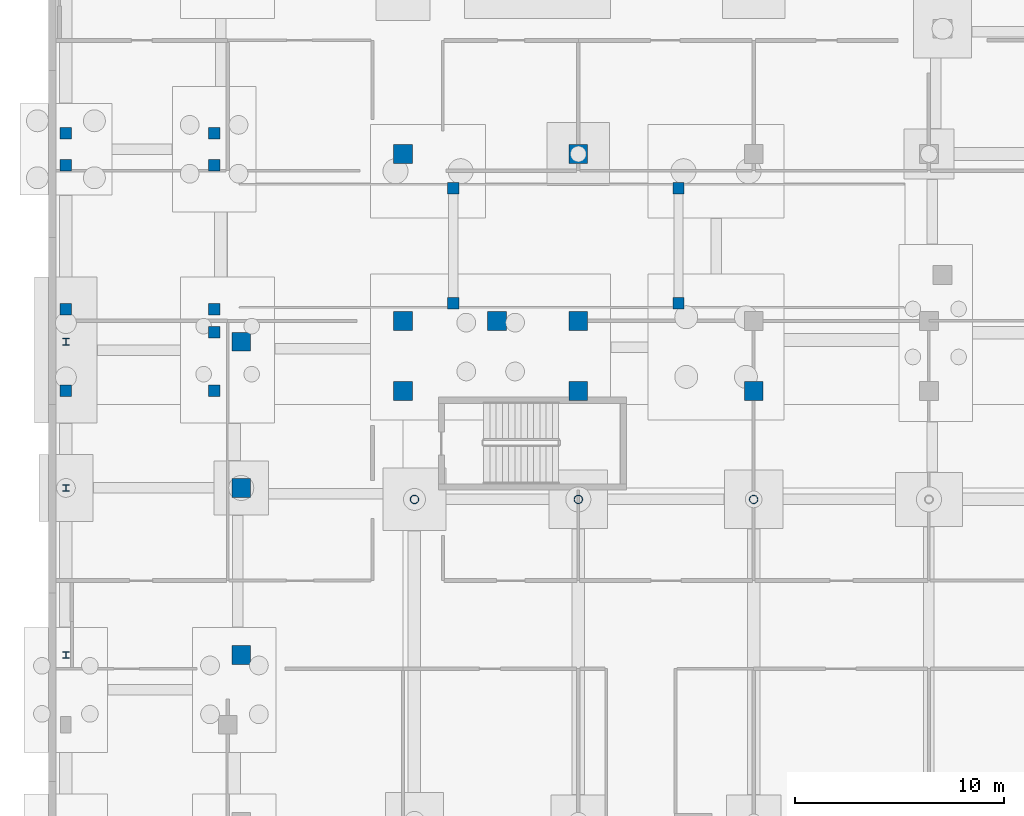
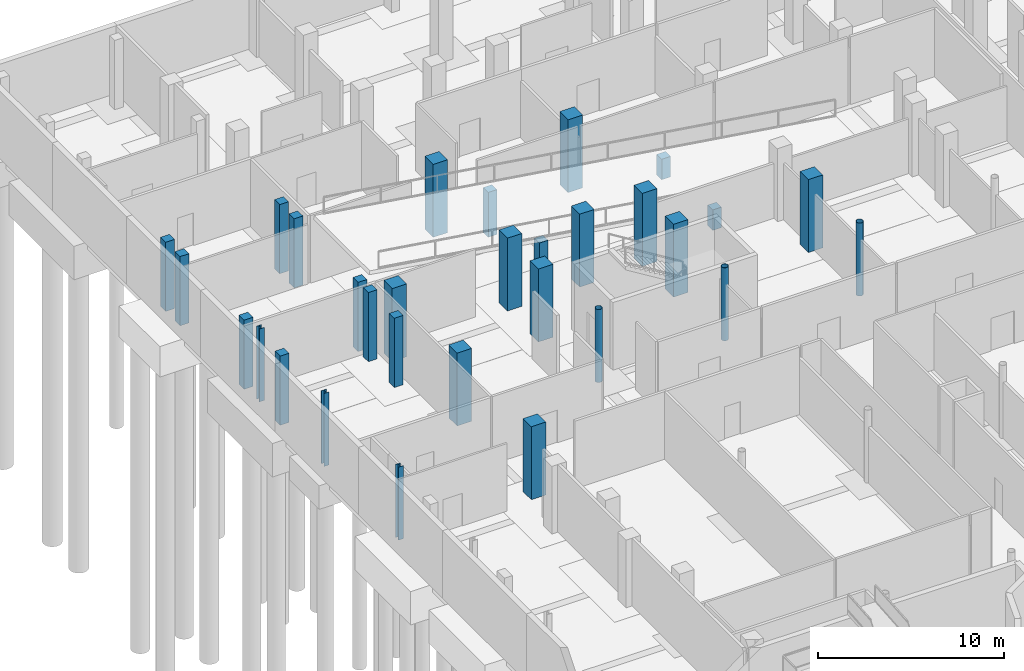
# One storey, part 17 of 45: 30 columns.
"""IFC4 building model written with IfcOpenShell, lengths in metres."""

from ifc_helpers import new_model, si_unit, direction, frame, origin, origin_2d, place, context, subcontext, project, spatial, rectangle, hollow_circle, i_section, extrude, material, material_profile, profile_set, type_object, element, save


model = new_model("IFC4")

# Units and contexts
model_context = context("Model", 3, precision=1e-05, world=origin(), true_north=direction((0.0, 1.0)))
body_context = subcontext(model_context, "Body", "Model", "MODEL_VIEW")
ifc_project = project(units=[si_unit("LENGTHUNIT", "METRE"), si_unit("AREAUNIT", "SQUARE_METRE"), si_unit("VOLUMEUNIT", "CUBIC_METRE"), si_unit("PLANEANGLEUNIT", "RADIAN"), si_unit("MASSUNIT", "GRAM", prefix="KILO")], contexts=[model_context])

# Site, building, storey
site_placement = place(None, origin())
site = spatial("IfcSite", under=ifc_project, at=site_placement, CompositionType="ELEMENT")
building_placement = place(site_placement, origin())
building = spatial("IfcBuilding", under=site, at=building_placement, Name="Selatvlak General Hospital", CompositionType="ELEMENT")
storey_placement = place(building_placement, frame((0.0, 0.0, -4.800048828125)))
storey = spatial("IfcBuildingStorey", under=building, at=storey_placement, Name="B1", CompositionType="ELEMENT", Elevation=-4.800048828125)

# Columns
ifc_material_1 = material(Name="Steel S355", Category="steel")
ifc_material_profile_1 = material_profile(ifc_material_1, hollow_circle(Radius=0.203125, WallThickness=0.01611328125, at=origin_2d()), Name="CHS 406.4x16")
ifc_profile_set_1 = profile_set([ifc_material_profile_1], Name="Steel S355")
column_type_1 = type_object("IfcColumnType", Name="COL-CHS406", PredefinedType="COLUMN", material=ifc_profile_set_1)
for number, where, z_axis, x_axis, name in (
    (1, (23.35009765625, 83.449951171875, 0.0), (0.0, 0.0, 1.0), (1.0, 0.0, 0.0), "Column 003 on B1"),
    (2, (31.199951171875, 83.449951171875, 0.0), (0.0, 0.0, 1.0), (1.0, 0.0, 0.0), "Column 006 on B1"),
    (3, (39.60009765625, 83.449951171875, 0.0), (0.0, 0.0, 1.0), (1.0, 0.0, 0.0), "Column 009 on B1"),
):
    element("IfcColumn", number, at=place(storey_placement, frame(where, z_axis=z_axis, x_axis=x_axis)), inside=storey, type_object=column_type_1, Name=name, PredefinedType="COLUMN", context=body_context, shape_type="SweptSolid", body=[
        extrude(hollow_circle(Radius=0.203125, WallThickness=0.01611328125, at=origin_2d()), origin(), (0.0, 0.0, 1.0), 4.800048828125),
    ])
ifc_material_2 = material(Name="Concrete C40/50", Category="concrete")
ifc_material_profile_2 = material_profile(ifc_material_2, rectangle(XDim=0.550048828125, YDim=0.550048828125, at=origin_2d()), Name="RC-COL 550x550")
ifc_profile_set_2 = profile_set([ifc_material_profile_2], Name="Concrete C40/50")
column_type_2 = type_object("IfcColumnType", Name="COL-RC55", PredefinedType="COLUMN", material=ifc_profile_set_2)
for number, where, z_axis, x_axis, name in (
    (4, (6.64990234375, 88.64990234375, 0.0), (0.0, 0.0, 1.0), (1.0, 0.0, 0.0), "Column 073 on B1"),
    (5, (6.64990234375, 92.550048828125, 0.0), (0.0, 0.0, 1.0), (1.0, 0.0, 0.0), "Column 074 on B1"),
    (6, (6.64990234375, 99.449951171875, 0.0), (0.0, 0.0, 1.0), (1.0, 0.0, 0.0), "Column 075 on B1"),
    (7, (6.64990234375, 101.0, 0.0), (0.0, 0.0, 1.0), (1.0, 0.0, 0.0), "Column 076 on B1"),
    (8, (13.75, 88.64990234375, 0.0), (0.0, 0.0, 1.0), (1.0, 0.0, 0.0), "Column 079 on B1"),
    (9, (13.75, 91.449951171875, 0.0), (0.0, 0.0, 1.0), (1.0, 0.0, 0.0), "Column 080 on B1"),
    (10, (13.75, 92.550048828125, 0.0), (0.0, 0.0, 1.0), (1.0, 0.0, 0.0), "Column 081 on B1"),
    (11, (13.75, 99.449951171875, 0.0), (0.0, 0.0, 1.0), (1.0, 0.0, 0.0), "Column 082 on B1"),
    (12, (13.75, 101.0, 0.0), (0.0, 0.0, 1.0), (1.0, 0.0, 0.0), "Column 083 on B1"),
):
    element("IfcColumn", number, at=place(storey_placement, frame(where, z_axis=z_axis, x_axis=x_axis)), inside=storey, type_object=column_type_2, Name=name, PredefinedType="COLUMN", context=body_context, shape_type="SweptSolid", body=[
        extrude(rectangle(XDim=0.550048828125, YDim=0.550048828125, at=origin_2d()), origin(), (0.0, 0.0, 1.0), 4.554931640625),
    ])
for number, where, z_axis, x_axis, name in (
    (13, (25.199951171875, 92.85009765625, 0.0), (0.0, 0.0, 1.0), (1.0, 0.0, 0.0), "Column 107 on B1"),
    (14, (25.199951171875, 98.35009765625, 0.0), (0.0, 0.0, 1.0), (1.0, 0.0, 0.0), "Column 108 on B1"),
):
    element("IfcColumn", number, at=place(storey_placement, frame(where, z_axis=z_axis, x_axis=x_axis)), inside=storey, type_object=column_type_2, Name=name, PredefinedType="COLUMN", context=body_context, shape_type="SweptSolid", body=[
        extrude(rectangle(XDim=0.550048828125, YDim=0.550048828125, at=origin_2d()), origin(), (0.0, 0.0, 1.0), 2.947021484375),
    ])
for number, where, z_axis, x_axis, name in (
    (15, (36.0, 92.85009765625, 0.0), (0.0, 0.0, 1.0), (1.0, 0.0, 0.0), "Column 109 on B1"),
    (16, (36.0, 98.35009765625, 0.0), (0.0, 0.0, 1.0), (1.0, 0.0, 0.0), "Column 110 on B1"),
):
    element("IfcColumn", number, at=place(storey_placement, frame(where, z_axis=z_axis, x_axis=x_axis)), inside=storey, type_object=column_type_2, Name=name, PredefinedType="COLUMN", context=body_context, shape_type="SweptSolid", body=[
        extrude(rectangle(XDim=0.550048828125, YDim=0.550048828125, at=origin_2d()), origin(), (0.0, 0.0, 1.0), 1.34716796875),
    ])
ifc_material_3 = material(Name="Concrete C50/60", Category="concrete")
ifc_material_profile_3 = material_profile(ifc_material_3, rectangle(XDim=0.89990234375, YDim=0.89990234375, at=origin_2d()), Name="RC-COL 900x900")
ifc_profile_set_3 = profile_set([ifc_material_profile_3], Name="Concrete C50/60")
column_type_3 = type_object("IfcColumnType", Name="COL-RC90", PredefinedType="COLUMN", material=ifc_profile_set_3)
for number, where, z_axis, x_axis, name in (
    (17, (15.050048828125, 76.0, 0.0), (0.0, 0.0, 1.0), (1.0, 0.0, 0.0), "Column 066 on B1"),
    (18, (15.050048828125, 84.0, 0.0), (0.0, 0.0, 1.0), (1.0, 0.0, 0.0), "Column 068 on B1"),
    (19, (15.050048828125, 91.0, 0.0), (0.0, 0.0, 1.0), (1.0, 0.0, 0.0), "Column 070 on B1"),
    (20, (27.300048828125, 92.0, 0.0), (0.0, 0.0, 1.0), (1.0, 0.0, 0.0), "Column 111 on B1"),
    (21, (22.800048828125, 88.64990234375, 0.0), (0.0, 0.0, 1.0), (1.0, 0.0, 0.0), "Column 158 on B1"),
    (22, (22.800048828125, 92.0, 0.0), (0.0, 0.0, 1.0), (1.0, 0.0, 0.0), "Column 159 on B1"),
    (23, (22.800048828125, 100.0, 0.0), (0.0, 0.0, 1.0), (1.0, 0.0, 0.0), "Column 160 on B1"),
    (24, (31.199951171875, 88.64990234375, 0.0), (0.0, 0.0, 1.0), (1.0, 0.0, 0.0), "Column 164 on B1"),
    (25, (31.199951171875, 92.0, 0.0), (0.0, 0.0, 1.0), (1.0, 0.0, 0.0), "Column 165 on B1"),
    (26, (31.199951171875, 100.0, 0.0), (0.0, 0.0, 1.0), (1.0, 0.0, 0.0), "Column 166 on B1"),
    (27, (39.60009765625, 88.64990234375, 0.0), (0.0, 0.0, 1.0), (1.0, 0.0, 0.0), "Column 170 on B1"),
):
    element("IfcColumn", number, at=place(storey_placement, frame(where, z_axis=z_axis, x_axis=x_axis)), inside=storey, type_object=column_type_3, Name=name, PredefinedType="COLUMN", context=body_context, shape_type="SweptSolid", body=[
        extrude(rectangle(XDim=0.89990234375, YDim=0.89990234375, at=origin_2d()), origin(), (0.0, 0.0, 1.0), 4.800048828125),
    ])
ifc_material_profile_4 = material_profile(ifc_material_1, i_section(OverallWidth=0.30908203125, OverallDepth=0.320556640625, WebThickness=0.013916015625, FlangeThickness=0.021728515625, at=origin_2d()), Name="UC 305x305x137")
ifc_profile_set_4 = profile_set([ifc_material_profile_4], Name="Steel S355")
column_type_4 = type_object("IfcColumnType", Name="COL-UC305", PredefinedType="COLUMN", material=ifc_profile_set_4)
for number, where, z_axis, x_axis, name in (
    (28, (6.64990234375, 76.0, 0.0), (0.0, 0.0, 1.0), (1.0, 0.0, 0.0), "Column 065 on B1"),
    (29, (6.64990234375, 84.0, 0.0), (0.0, 0.0, 1.0), (1.0, 0.0, 0.0), "Column 067 on B1"),
    (30, (6.64990234375, 91.0, 0.0), (0.0, 0.0, 1.0), (1.0, 0.0, 0.0), "Column 069 on B1"),
):
    element("IfcColumn", number, at=place(storey_placement, frame(where, z_axis=z_axis, x_axis=x_axis)), inside=storey, type_object=column_type_4, Name=name, PredefinedType="COLUMN", context=body_context, shape_type="SweptSolid", body=[
        extrude(i_section(OverallWidth=0.30908203125, OverallDepth=0.320556640625, WebThickness=0.013916015625, FlangeThickness=0.021728515625, at=origin_2d()), origin(), (0.0, 0.0, 1.0), 4.800048828125),
    ])

save(model, "model.ifc")
